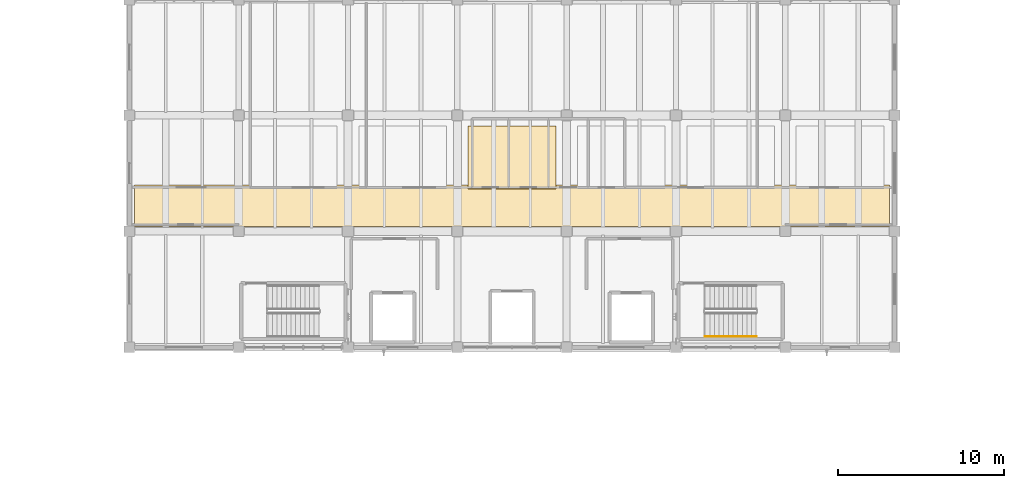
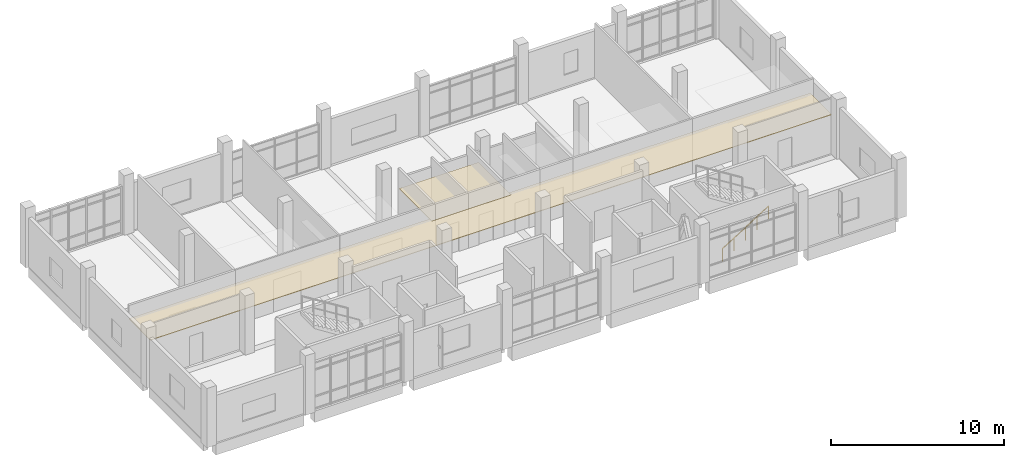
# One storey, part 15 of 16: 2 coverings, 1 railing.
"""IFC4 building model written with IfcOpenShell, lengths in metres."""

from ifc_helpers import new_model, si_unit, direction, frame, origin, origin_2d, place, context, subcontext, project, spatial, polyline, circle, outline, extrude, material, layer, layer_set, type_object, element, save


model = new_model("IFC4")

# Units and contexts
model_context = context("Model", 3, precision=1e-05, world=origin(), true_north=direction((0.0, 1.0)))
body_context = subcontext(model_context, "Body", "Model", "MODEL_VIEW")
ifc_project = project(units=[si_unit("LENGTHUNIT", "METRE"), si_unit("AREAUNIT", "SQUARE_METRE"), si_unit("VOLUMEUNIT", "CUBIC_METRE"), si_unit("PLANEANGLEUNIT", "RADIAN"), si_unit("MASSUNIT", "GRAM", prefix="KILO")], contexts=[model_context])

# Site, building, storey
site_placement = place(None, origin())
site = spatial("IfcSite", under=ifc_project, at=site_placement, CompositionType="ELEMENT")
building_placement = place(site_placement, origin())
building = spatial("IfcBuilding", under=site, at=building_placement, Name="Ciguamira Faculty of Natural Sciences", CompositionType="ELEMENT")
storey_placement = place(building_placement, frame((0.0, 0.0, 25.199951171875)))
storey = spatial("IfcBuildingStorey", under=building, at=storey_placement, Name="L06", CompositionType="ELEMENT", Elevation=25.199951171875)

# Coverings
ifc_material_1 = material(Name="Perforated white acoustic ceiling")
ifc_layer = layer(ifc_material_1, 0.0400390625, Name="Perforated white acoustic ceiling")
ifc_layer_set = layer_set([ifc_layer], Name="Perforated white acoustic ceiling")
covering_type = type_object("IfcCoveringType", Name="AcousticCeiling_AC01", PredefinedType="CEILING", material=ifc_layer_set)
covering_1_placement = place(storey_placement, frame((0.0, 0.0, 2.760009765625)))
element("IfcCovering", 1, at=covering_1_placement, inside=storey, type_object=covering_type, Name="L06 corridor acoustic ceiling", PredefinedType="CEILING", context=body_context, shape_type="SweptSolid", body=[
    extrude(outline(polyline([(64.199951171875, 101.300048828125), (109.800048828125, 101.300048828125), (109.800048828125, 103.800048828125), (64.199951171875, 103.800048828125), (64.199951171875, 101.300048828125)])), origin(), (0.0, 0.0, 1.0), 0.0400390625),
])
covering_2_placement = place(storey_placement, frame((0.0, 0.0, 2.760009765625)))
element("IfcCovering", 2, at=covering_2_placement, inside=storey, type_object=covering_type, Name="L06 research bay 03 acoustic ceiling", PredefinedType="CEILING", context=body_context, shape_type="SweptSolid", body=[
    extrude(outline(polyline([(84.35009765625, 103.550048828125), (89.64990234375, 103.550048828125), (89.64990234375, 107.35009765625), (84.35009765625, 107.35009765625), (84.35009765625, 103.550048828125)])), origin(), (0.0, 0.0, 1.0), 0.0400390625),
])

# Railing
ifc_material_2 = material(Name="Stainless steel handrail", Category="steel")
railing_type = type_object("IfcRailingType", Name="Handrail_HR01", PredefinedType="HANDRAIL", material=ifc_material_2)
railing_placement = place(storey_placement, frame((98.659912109375, 94.64990234375, 0.35009765625)))
element("IfcRailing", 3, at=railing_placement, inside=storey, type_object=railing_type, Name="L06 ST-T2 stair handrail 1", PredefinedType="HANDRAIL", context=body_context, shape_type="SweptSolid", body=[
    extrude(circle(Radius=0.02392578125, at=origin_2d()), frame((0.0, 0.0, 0.89111328125), z_axis=(0.847998304005, 0.0, 0.529998940003), x_axis=(0.0, 1.0, 0.0)), (0.0, 0.0, 1.0), 3.632080078125),
    extrude(circle(Radius=0.02099609375, at=origin_2d()), origin(), (0.0, 0.0, 1.0), 0.866943359375),
    extrude(circle(Radius=0.02099609375, at=origin_2d()), frame((0.77001953125, 0.0, 0.481201171875)), (0.0, 0.0, 1.0), 0.866943359375),
    extrude(circle(Radius=0.02099609375, at=origin_2d()), frame((1.5400390625, 0.0, 0.96240234375)), (0.0, 0.0, 1.0), 0.866943359375),
    extrude(circle(Radius=0.02099609375, at=origin_2d()), frame((2.31005859375, 0.0, 1.44384765625)), (0.0, 0.0, 1.0), 0.866943359375),
    extrude(circle(Radius=0.02099609375, at=origin_2d()), frame((3.080078125, 0.0, 1.925048828125)), (0.0, 0.0, 1.0), 0.866943359375),
])

save(model, "model.ifc")
